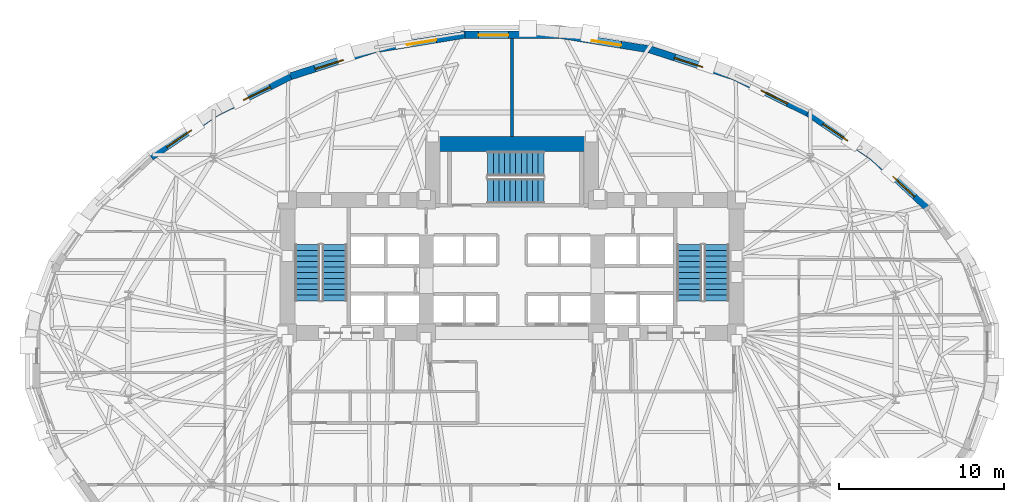
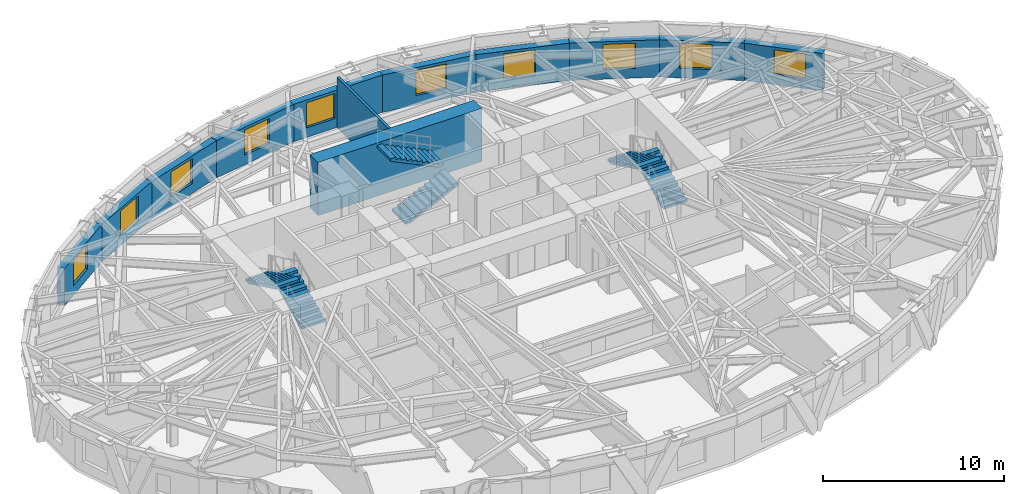
# One storey, part 10 of 14: 12 walls, 10 windows, 6 stair flights, 10 openings, 3 elements without a shape of their own.
"""IFC4 building model written with IfcOpenShell, lengths in metres."""

from ifc_helpers import new_model, si_unit, direction, frame, frame_2d, origin, place, context, subcontext, project, spatial, polyline, rectangle, outline, extrude, material, layer, layer_set, type_object, element, fill, aggregate, save


model = new_model("IFC4")

# Units and contexts
model_context = context("Model", 3, precision=1e-05, world=origin(), true_north=direction((0.0, 1.0)))
body_context = subcontext(model_context, "Body", "Model", "MODEL_VIEW")
ifc_project = project(units=[si_unit("LENGTHUNIT", "METRE"), si_unit("AREAUNIT", "SQUARE_METRE"), si_unit("VOLUMEUNIT", "CUBIC_METRE"), si_unit("PLANEANGLEUNIT", "RADIAN"), si_unit("MASSUNIT", "GRAM", prefix="KILO")], contexts=[model_context])

# Site, building, storey
site_placement = place(None, origin())
site = spatial("IfcSite", under=ifc_project, at=site_placement, CompositionType="ELEMENT")
building_placement = place(site_placement, origin())
building = spatial("IfcBuilding", under=site, at=building_placement, Name="Keldmark Tower", CompositionType="ELEMENT")
storey_placement = place(building_placement, frame((0.0, 0.0, 59.39990234375)))
storey = spatial("IfcBuildingStorey", under=building, at=storey_placement, Name="L15", CompositionType="ELEMENT", Elevation=59.39990234375)

# Walls
ifc_material_1 = material(Name="STC-58 Insulated Tenant Demising Gypsum Partition", Category="gypsum")
ifc_layer_1 = layer(ifc_material_1, 0.175048828125)
ifc_layer_set_1 = layer_set([ifc_layer_1], Name="STC-58 Insulated Tenant Demising Gypsum Partition")
wall_type_1 = type_object("IfcWallType", Name="Demising Suite Partition 175 mm", PredefinedType="PARTITIONING", material=ifc_layer_set_1)
wall_1_placement = place(storey_placement, frame((0.0, 13.300048828125, 0.0), z_axis=(0.0, 0.0, 1.0), x_axis=(0.0, 1.0, 0.0)))
element("IfcWall", 1, at=wall_1_placement, inside=storey, type_object=wall_type_1, Name="L15 Demising Suite Partition 175 mm N-MID-DIV", PredefinedType="PARTITIONING", context=body_context, shape_type="SweptSolid", body=[
    extrude(rectangle(XDim=5.9521484375, YDim=0.175048828125, at=frame_2d((2.97607421875, 0.0))), origin(), (0.0, 0.0, 1.0), 3.400146484375),
])
ifc_material_2 = material(Name="Concrete C70/85", Category="concrete")
ifc_layer_2 = layer(ifc_material_2, 0.89990234375)
ifc_layer_set_2 = layer_set([ifc_layer_2], Name="Concrete C70/85")
wall_type_2 = type_object("IfcWallType", Name="Lower Core Shear Wall 900 mm", PredefinedType="SHEAR", material=ifc_layer_set_2)
wall_2_placement = place(storey_placement, frame((-5.25, 12.85009765625, 0.0), z_axis=(0.0, 0.0, 1.0), x_axis=(1.0, 0.0, 0.0)))
element("IfcWall", 2, at=wall_2_placement, inside=storey, type_object=wall_type_2, Name="L15 North Core Shear Wall", PredefinedType="SHEAR", context=body_context, shape_type="SweptSolid", body=[
    extrude(rectangle(XDim=10.5, YDim=0.89990234375, at=frame_2d((5.25, 0.0))), origin(), (0.0, 0.0, 1.0), 3.60009765625),
])

# Wall, opening, window
ifc_material_3 = material(Name="Ironspot Manganese Brick and Kasota Buff Limestone Spandrel Assembly", Category="masonry")
ifc_layer_3 = layer(ifc_material_3, 0.43994140625)
ifc_layer_set_3 = layer_set([ifc_layer_3], Name="Ironspot Manganese Brick and Kasota Buff Limestone Spandrel Assembly")
wall_type_3 = type_object("IfcWallType", Name="Tower Brick Pier and Spandrel Wall 440 mm", PredefinedType="STANDARD", material=ifc_layer_set_3)
wall_3_placement = place(storey_placement, frame((21.856201171875, 12.083251953125, 0.0), z_axis=(0.0, 0.0, 1.0), x_axis=(0.731343335822, -0.682009475849, 0.0)))
wall_3 = element("IfcWall", 3, at=wall_3_placement, inside=storey, type_object=wall_type_3, Name="L15 Exterior Brick and Spandrel Wall 03", PredefinedType="STANDARD", context=body_context, shape_type="SweptSolid", body=[
    extrude(rectangle(XDim=4.50830078125, YDim=0.43994140625, at=frame_2d((2.254150390625, 0.0))), origin(), (0.0, 0.0, 1.0), 2.529052734375),
])
opening_1_placement = place(wall_3_placement, frame((1.722412109375, 0.0, 0.64990234375)))
opening_1 = element("IfcOpeningElement", 4, at=opening_1_placement, cuts=wall_3, Name="Opening W-02", PredefinedType="OPENING", context=body_context, shape_type="SweptSolid", body=[
    extrude(rectangle(XDim=1.800048828125, YDim=1.699951171875, at=frame_2d((0.89990234375, 0.85009765625))), frame((0.0, 0.22998046875, 0.0), z_axis=(0.0, -1.0, 0.0), x_axis=(1.0, 0.0, 0.0)), (0.0, 0.0, 1.0), 0.4599609375),
])
ifc_material_4 = material(Name="Thermally Broken Anodized Aluminum and Triple Low-E Argon Glazing", Category="aluminium")
window_type = type_object("IfcWindowType", Name="Office Deep-Set Triple Window 1800x1700", PartitioningType="TRIPLE_PANEL_VERTICAL", PredefinedType="WINDOW", material=ifc_material_4)
window_1_placement = place(opening_1_placement, origin())
window_1 = element("IfcWindow", 5, at=window_1_placement, inside=storey, type_object=window_type, Name="L15 Deep-Set Window 03", OverallHeight=1.699951171875, OverallWidth=1.800048828125, PartitioningType="SINGLE_PANEL", PredefinedType="WINDOW", context=body_context, shape_type="SweptSolid", body=[
    extrude(rectangle(XDim=1.800048828125, YDim=1.699951171875, at=frame_2d((0.89990234375, 0.85009765625))), frame((0.0, -0.010009765625, 0.0), z_axis=(0.0, -1.0, 0.0), x_axis=(1.0, 0.0, 0.0)), (0.0, 0.0, 1.0), 0.06005859375),
])
fill(opening_1, window_1)

wall_4_placement = place(storey_placement, frame((17.9365234375, 14.7373046875, 0.0), z_axis=(0.0, 0.0, 1.0), x_axis=(0.827723816917, -0.561135708103, 0.0)))
wall_4 = element("IfcWall", 6, at=wall_4_placement, inside=storey, type_object=wall_type_3, Name="L15 Exterior Brick and Spandrel Wall 04", PredefinedType="STANDARD", context=body_context, shape_type="SweptSolid", body=[
    extrude(rectangle(XDim=4.767578125, YDim=0.43994140625, at=frame_2d((2.3837890625, 0.0))), origin(), (0.0, 0.0, 1.0), 2.529052734375),
])
opening_2_placement = place(wall_4_placement, frame((1.13818359375, 0.0, 0.64990234375)))
opening_2 = element("IfcOpeningElement", 7, at=opening_2_placement, cuts=wall_4, Name="Opening W-02", PredefinedType="OPENING", context=body_context, shape_type="SweptSolid", body=[
    extrude(rectangle(XDim=1.800048828125, YDim=1.699951171875, at=frame_2d((0.89990234375, 0.85009765625))), frame((0.0, 0.22998046875, 0.0), z_axis=(0.0, -1.0, 0.0), x_axis=(1.0, 0.0, 0.0)), (0.0, 0.0, 1.0), 0.4599609375),
])
window_2_placement = place(opening_2_placement, origin())
window_2 = element("IfcWindow", 8, at=window_2_placement, inside=storey, type_object=window_type, Name="L15 Deep-Set Window 04", OverallHeight=1.699951171875, OverallWidth=1.800048828125, PartitioningType="SINGLE_PANEL", PredefinedType="WINDOW", context=body_context, shape_type="SweptSolid", body=[
    extrude(rectangle(XDim=1.800048828125, YDim=1.699951171875, at=frame_2d((0.89990234375, 0.85009765625))), frame((0.0, -0.010009765625, 0.0), z_axis=(0.0, -1.0, 0.0), x_axis=(1.0, 0.0, 0.0)), (0.0, 0.0, 1.0), 0.06005859375),
])
fill(opening_2, window_2)

wall_5_placement = place(storey_placement, frame((13.427734375, 16.95751953125, 0.0), z_axis=(0.0, 0.0, 1.0), x_axis=(0.896962161347, -0.442107318545, 0.0)))
wall_5 = element("IfcWall", 9, at=wall_5_placement, inside=storey, type_object=wall_type_3, Name="L15 Exterior Brick and Spandrel Wall 05", PredefinedType="STANDARD", context=body_context, shape_type="SweptSolid", body=[
    extrude(rectangle(XDim=5.05615234375, YDim=0.43994140625, at=frame_2d((2.528076171875, 0.0))), origin(), (0.0, 0.0, 1.0), 2.529052734375),
])
opening_3_placement = place(wall_5_placement, frame((1.874267578125, 0.0, 0.64990234375)))
opening_3 = element("IfcOpeningElement", 10, at=opening_3_placement, cuts=wall_5, Name="Opening W-02", PredefinedType="OPENING", context=body_context, shape_type="SweptSolid", body=[
    extrude(rectangle(XDim=1.800048828125, YDim=1.699951171875, at=frame_2d((0.89990234375, 0.85009765625))), frame((0.0, 0.22998046875, 0.0), z_axis=(0.0, -1.0, 0.0), x_axis=(1.0, 0.0, 0.0)), (0.0, 0.0, 1.0), 0.4599609375),
])
window_3_placement = place(opening_3_placement, origin())
window_3 = element("IfcWindow", 11, at=window_3_placement, inside=storey, type_object=window_type, Name="L15 Deep-Set Window 05", OverallHeight=1.699951171875, OverallWidth=1.800048828125, PartitioningType="SINGLE_PANEL", PredefinedType="WINDOW", context=body_context, shape_type="SweptSolid", body=[
    extrude(rectangle(XDim=1.800048828125, YDim=1.699951171875, at=frame_2d((0.89990234375, 0.85009765625))), frame((0.0, -0.010009765625, 0.0), z_axis=(0.0, -1.0, 0.0), x_axis=(1.0, 0.0, 0.0)), (0.0, 0.0, 1.0), 0.06005859375),
])
fill(opening_3, window_3)

wall_6_placement = place(storey_placement, frame((8.343994140625, 18.589111328125, 0.0), z_axis=(0.0, 0.0, 1.0), x_axis=(0.95202383213, -0.30602389295, 0.0)))
wall_6 = element("IfcWall", 12, at=wall_6_placement, inside=storey, type_object=wall_type_3, Name="L15 Exterior Brick and Spandrel Wall 06", PredefinedType="STANDARD", context=body_context, shape_type="SweptSolid", body=[
    extrude(rectangle(XDim=5.37158203125, YDim=0.43994140625, at=frame_2d((2.685791015625, 0.0))), origin(), (0.0, 0.0, 1.0), 2.529052734375),
])
opening_4_placement = place(wall_6_placement, frame((1.58740234375, 0.0, 0.64990234375)))
opening_4 = element("IfcOpeningElement", 13, at=opening_4_placement, cuts=wall_6, Name="Opening W-02", PredefinedType="OPENING", context=body_context, shape_type="SweptSolid", body=[
    extrude(rectangle(XDim=1.800048828125, YDim=1.699951171875, at=frame_2d((0.89990234375, 0.85009765625))), frame((0.0, 0.22998046875, 0.0), z_axis=(0.0, -1.0, 0.0), x_axis=(1.0, 0.0, 0.0)), (0.0, 0.0, 1.0), 0.4599609375),
])
window_4_placement = place(opening_4_placement, origin())
window_4 = element("IfcWindow", 14, at=window_4_placement, inside=storey, type_object=window_type, Name="L15 Deep-Set Window 06", OverallHeight=1.699951171875, OverallWidth=1.800048828125, PartitioningType="SINGLE_PANEL", PredefinedType="WINDOW", context=body_context, shape_type="SweptSolid", body=[
    extrude(rectangle(XDim=1.800048828125, YDim=1.699951171875, at=frame_2d((0.89990234375, 0.85009765625))), frame((0.0, -0.010009765625, 0.0), z_axis=(0.0, -1.0, 0.0), x_axis=(1.0, 0.0, 0.0)), (0.0, 0.0, 1.0), 0.06005859375),
])
fill(opening_4, window_4)

wall_7_placement = place(storey_placement, frame((2.82666015625, 19.48291015625, 0.0), z_axis=(0.0, 0.0, 1.0), x_axis=(0.987057031186, -0.160369626756, 0.0)))
wall_7 = element("IfcWall", 15, at=wall_7_placement, inside=storey, type_object=wall_type_3, Name="L15 Exterior Brick and Spandrel Wall 07", PredefinedType="STANDARD", context=body_context, shape_type="SweptSolid", body=[
    extrude(rectangle(XDim=5.6220703125, YDim=0.43994140625, at=frame_2d((2.81103515625, 0.0))), origin(), (0.0, 0.0, 1.0), 2.529052734375),
])
opening_5_placement = place(wall_7_placement, frame((2.034912109375, 0.0, 0.64990234375)))
opening_5 = element("IfcOpeningElement", 16, at=opening_5_placement, cuts=wall_7, Name="Opening W-02", PredefinedType="OPENING", context=body_context, shape_type="SweptSolid", body=[
    extrude(rectangle(XDim=1.800048828125, YDim=1.699951171875, at=frame_2d((0.89990234375, 0.85009765625))), frame((0.0, 0.22998046875, 0.0), z_axis=(0.0, -1.0, 0.0), x_axis=(1.0, 0.0, 0.0)), (0.0, 0.0, 1.0), 0.4599609375),
])
window_5_placement = place(opening_5_placement, origin())
window_5 = element("IfcWindow", 17, at=window_5_placement, inside=storey, type_object=window_type, Name="L15 Deep-Set Window 07", OverallHeight=1.699951171875, OverallWidth=1.800048828125, PartitioningType="SINGLE_PANEL", PredefinedType="WINDOW", context=body_context, shape_type="SweptSolid", body=[
    extrude(rectangle(XDim=1.800048828125, YDim=1.699951171875, at=frame_2d((0.89990234375, 0.85009765625))), frame((0.0, -0.010009765625, 0.0), z_axis=(0.0, -1.0, 0.0), x_axis=(1.0, 0.0, 0.0)), (0.0, 0.0, 1.0), 0.06005859375),
])
fill(opening_5, window_5)

wall_8_placement = place(storey_placement, frame((-2.862060546875, 19.480224609375, 0.0), z_axis=(0.0, 0.0, 1.0), x_axis=(1.0, 0.0, 0.0)))
wall_8 = element("IfcWall", 18, at=wall_8_placement, inside=storey, type_object=wall_type_3, Name="L15 Exterior Brick and Spandrel Wall 08", PredefinedType="STANDARD", context=body_context, shape_type="SweptSolid", body=[
    extrude(rectangle(XDim=5.72412109375, YDim=0.43994140625, at=frame_2d((2.862060546875, 0.0))), origin(), (0.0, 0.0, 1.0), 2.533203125),
])
opening_6_placement = place(wall_8_placement, frame((0.84521484375, 0.0, 0.64990234375)))
opening_6 = element("IfcOpeningElement", 19, at=opening_6_placement, cuts=wall_8, Name="Opening W-02", PredefinedType="OPENING", context=body_context, shape_type="SweptSolid", body=[
    extrude(rectangle(XDim=1.800048828125, YDim=1.699951171875, at=frame_2d((0.89990234375, 0.85009765625))), frame((0.0, 0.22998046875, 0.0), z_axis=(0.0, -1.0, 0.0), x_axis=(1.0, 0.0, 0.0)), (0.0, 0.0, 1.0), 0.4599609375),
])
window_6_placement = place(opening_6_placement, origin())
window_6 = element("IfcWindow", 20, at=window_6_placement, inside=storey, type_object=window_type, Name="L15 Deep-Set Window 08", OverallHeight=1.699951171875, OverallWidth=1.800048828125, PartitioningType="SINGLE_PANEL", PredefinedType="WINDOW", context=body_context, shape_type="SweptSolid", body=[
    extrude(rectangle(XDim=1.800048828125, YDim=1.699951171875, at=frame_2d((0.89990234375, 0.85009765625))), frame((0.0, -0.010009765625, 0.0), z_axis=(0.0, -1.0, 0.0), x_axis=(1.0, 0.0, 0.0)), (0.0, 0.0, 1.0), 0.06005859375),
])
fill(opening_6, window_6)

wall_9_placement = place(storey_placement, frame((-8.3759765625, 18.581298828125, 0.0), z_axis=(0.0, 0.0, 1.0), x_axis=(0.987057031186, 0.160369626756, 0.0)))
wall_9 = element("IfcWall", 21, at=wall_9_placement, inside=storey, type_object=wall_type_3, Name="L15 Exterior Brick and Spandrel Wall 09", PredefinedType="STANDARD", context=body_context, shape_type="SweptSolid", body=[
    extrude(rectangle(XDim=5.6220703125, YDim=0.43994140625, at=frame_2d((2.81103515625, 0.0))), origin(), (0.0, 0.0, 1.0), 2.529052734375),
])
opening_7_placement = place(wall_9_placement, frame((2.034912109375, 0.0, 0.64990234375)))
opening_7 = element("IfcOpeningElement", 22, at=opening_7_placement, cuts=wall_9, Name="Opening W-02", PredefinedType="OPENING", context=body_context, shape_type="SweptSolid", body=[
    extrude(rectangle(XDim=1.800048828125, YDim=1.699951171875, at=frame_2d((0.89990234375, 0.85009765625))), frame((0.0, 0.22998046875, 0.0), z_axis=(0.0, -1.0, 0.0), x_axis=(1.0, 0.0, 0.0)), (0.0, 0.0, 1.0), 0.4599609375),
])
window_7_placement = place(opening_7_placement, origin())
window_7 = element("IfcWindow", 23, at=window_7_placement, inside=storey, type_object=window_type, Name="L15 Deep-Set Window 09", OverallHeight=1.699951171875, OverallWidth=1.800048828125, PartitioningType="SINGLE_PANEL", PredefinedType="WINDOW", context=body_context, shape_type="SweptSolid", body=[
    extrude(rectangle(XDim=1.800048828125, YDim=1.699951171875, at=frame_2d((0.89990234375, 0.85009765625))), frame((0.0, -0.010009765625, 0.0), z_axis=(0.0, -1.0, 0.0), x_axis=(1.0, 0.0, 0.0)), (0.0, 0.0, 1.0), 0.06005859375),
])
fill(opening_7, window_7)

wall_10_placement = place(storey_placement, frame((-13.457763671875, 16.9453125, 0.0), z_axis=(0.0, 0.0, 1.0), x_axis=(0.95202383213, 0.30602389295, 0.0)))
wall_10 = element("IfcWall", 24, at=wall_10_placement, inside=storey, type_object=wall_type_3, Name="L15 Exterior Brick and Spandrel Wall 10", PredefinedType="STANDARD", context=body_context, shape_type="SweptSolid", body=[
    extrude(rectangle(XDim=5.37158203125, YDim=0.43994140625, at=frame_2d((2.685791015625, 0.0))), origin(), (0.0, 0.0, 1.0), 2.529052734375),
])
opening_8_placement = place(wall_10_placement, frame((1.58740234375, 0.0, 0.64990234375)))
opening_8 = element("IfcOpeningElement", 25, at=opening_8_placement, cuts=wall_10, Name="Opening W-02", PredefinedType="OPENING", context=body_context, shape_type="SweptSolid", body=[
    extrude(rectangle(XDim=1.800048828125, YDim=1.699951171875, at=frame_2d((0.89990234375, 0.85009765625))), frame((0.0, 0.22998046875, 0.0), z_axis=(0.0, -1.0, 0.0), x_axis=(1.0, 0.0, 0.0)), (0.0, 0.0, 1.0), 0.4599609375),
])
window_8_placement = place(opening_8_placement, origin())
window_8 = element("IfcWindow", 26, at=window_8_placement, inside=storey, type_object=window_type, Name="L15 Deep-Set Window 10", OverallHeight=1.699951171875, OverallWidth=1.800048828125, PartitioningType="SINGLE_PANEL", PredefinedType="WINDOW", context=body_context, shape_type="SweptSolid", body=[
    extrude(rectangle(XDim=1.800048828125, YDim=1.699951171875, at=frame_2d((0.89990234375, 0.85009765625))), frame((0.0, -0.010009765625, 0.0), z_axis=(0.0, -1.0, 0.0), x_axis=(1.0, 0.0, 0.0)), (0.0, 0.0, 1.0), 0.06005859375),
])
fill(opening_8, window_8)

wall_11_placement = place(storey_placement, frame((-17.962890625, 14.72216796875, 0.0), z_axis=(0.0, 0.0, 1.0), x_axis=(0.896962161347, 0.442107318545, 0.0)))
wall_11 = element("IfcWall", 27, at=wall_11_placement, inside=storey, type_object=wall_type_3, Name="L15 Exterior Brick and Spandrel Wall 11", PredefinedType="STANDARD", context=body_context, shape_type="SweptSolid", body=[
    extrude(rectangle(XDim=5.05615234375, YDim=0.43994140625, at=frame_2d((2.528076171875, 0.0))), origin(), (0.0, 0.0, 1.0), 2.529052734375),
])
opening_9_placement = place(wall_11_placement, frame((1.874267578125, 0.0, 0.64990234375)))
opening_9 = element("IfcOpeningElement", 28, at=opening_9_placement, cuts=wall_11, Name="Opening W-02", PredefinedType="OPENING", context=body_context, shape_type="SweptSolid", body=[
    extrude(rectangle(XDim=1.800048828125, YDim=1.699951171875, at=frame_2d((0.89990234375, 0.85009765625))), frame((0.0, 0.22998046875, 0.0), z_axis=(0.0, -1.0, 0.0), x_axis=(1.0, 0.0, 0.0)), (0.0, 0.0, 1.0), 0.4599609375),
])
window_9_placement = place(opening_9_placement, origin())
window_9 = element("IfcWindow", 29, at=window_9_placement, inside=storey, type_object=window_type, Name="L15 Deep-Set Window 11", OverallHeight=1.699951171875, OverallWidth=1.800048828125, PartitioningType="SINGLE_PANEL", PredefinedType="WINDOW", context=body_context, shape_type="SweptSolid", body=[
    extrude(rectangle(XDim=1.800048828125, YDim=1.699951171875, at=frame_2d((0.89990234375, 0.85009765625))), frame((0.0, -0.010009765625, 0.0), z_axis=(0.0, -1.0, 0.0), x_axis=(1.0, 0.0, 0.0)), (0.0, 0.0, 1.0), 0.06005859375),
])
fill(opening_9, window_9)

wall_12_placement = place(storey_placement, frame((-21.8828125, 12.06201171875, 0.0), z_axis=(0.0, 0.0, 1.0), x_axis=(0.827723816917, 0.561135708103, 0.0)))
wall_12 = element("IfcWall", 30, at=wall_12_placement, inside=storey, type_object=wall_type_3, Name="L15 Exterior Brick and Spandrel Wall 12", PredefinedType="STANDARD", context=body_context, shape_type="SweptSolid", body=[
    extrude(rectangle(XDim=4.767578125, YDim=0.43994140625, at=frame_2d((2.3837890625, 0.0))), origin(), (0.0, 0.0, 1.0), 2.529052734375),
])
opening_10_placement = place(wall_12_placement, frame((1.13818359375, 0.0, 0.64990234375)))
opening_10 = element("IfcOpeningElement", 31, at=opening_10_placement, cuts=wall_12, Name="Opening W-02", PredefinedType="OPENING", context=body_context, shape_type="SweptSolid", body=[
    extrude(rectangle(XDim=1.800048828125, YDim=1.699951171875, at=frame_2d((0.89990234375, 0.85009765625))), frame((0.0, 0.22998046875, 0.0), z_axis=(0.0, -1.0, 0.0), x_axis=(1.0, 0.0, 0.0)), (0.0, 0.0, 1.0), 0.4599609375),
])
window_10_placement = place(opening_10_placement, origin())
window_10 = element("IfcWindow", 32, at=window_10_placement, inside=storey, type_object=window_type, Name="L15 Deep-Set Window 12", OverallHeight=1.699951171875, OverallWidth=1.800048828125, PartitioningType="SINGLE_PANEL", PredefinedType="WINDOW", context=body_context, shape_type="SweptSolid", body=[
    extrude(rectangle(XDim=1.800048828125, YDim=1.699951171875, at=frame_2d((0.89990234375, 0.85009765625))), frame((0.0, -0.010009765625, 0.0), z_axis=(0.0, -1.0, 0.0), x_axis=(1.0, 0.0, 0.0)), (0.0, 0.0, 1.0), 0.06005859375),
])
fill(opening_10, window_10)

# Stair, stair flights
ifc_material_5 = material(Name="Concrete C40/50", Category="concrete")
stair_type = type_object("IfcStairType", Name="Precast Concrete Core Exit Stair", PredefinedType="HALF_TURN_STAIR", material=ifc_material_5)
stair_1_placement = place(storey_placement, origin())
stair_1 = element("IfcStair", 33, at=stair_1_placement, inside=storey, type_object=stair_type, Name="L15 Exit Stair ST1", PredefinedType="HALF_TURN_STAIR")
ifc_material_6 = material(Name="Concrete C40/50", Category="concrete")
stair_flight_type = type_object("IfcStairFlightType", Name="Precast Concrete Stair Flight 1500 mm", PredefinedType="STRAIGHT", material=ifc_material_6)
stair_flight_1_placement = place(storey_placement, frame((-10.75, 3.35009765625, 0.0), z_axis=(0.0, 0.0, 1.0), x_axis=(0.0, 1.0, 0.0)))
stair_flight_1 = element("IfcStairFlight", 34, at=stair_flight_1_placement, type_object=stair_flight_type, Name="ST1 flight 1", NumberOfRisers=11, NumberOfTreads=10, PredefinedType="STRAIGHT", RiserHeight=0.163636364, TreadLength=0.34, context=body_context, shape_type="SweptSolid", body=[
    extrude(outline(polyline([(0.0, 0.0), (0.0, 0.16357421875), (0.340087890625, 0.16357421875), (0.340087890625, 0.327392578125), (0.679931640625, 0.327392578125), (0.679931640625, 0.490966796875), (1.02001953125, 0.490966796875), (1.02001953125, 0.654541015625), (1.360107421875, 0.654541015625), (1.360107421875, 0.818115234375), (1.699951171875, 0.818115234375), (1.699951171875, 0.98193359375), (2.0400390625, 0.98193359375), (2.0400390625, 1.1455078125), (2.3798828125, 1.1455078125), (2.3798828125, 1.30908203125), (2.719970703125, 1.30908203125), (2.719970703125, 1.47265625), (3.06005859375, 1.47265625), (3.06005859375, 1.636474609375), (3.39990234375, 1.636474609375), (3.39990234375, 1.800048828125), (3.39990234375, 1.469970703125), (0.345703125, 0.0), (0.0, 0.0)])), frame((0.0, 0.75, 0.0), z_axis=(0.0, -1.0, 0.0), x_axis=(1.0, 0.0, 0.0)), (0.0, 0.0, 1.0), 1.5),
])
stair_flight_2_placement = place(storey_placement, frame((-12.39990234375, 6.75, 1.800048828125), z_axis=(0.0, 0.0, 1.0), x_axis=(0.0, -1.0, 0.0)))
stair_flight_2 = element("IfcStairFlight", 35, at=stair_flight_2_placement, type_object=stair_flight_type, Name="ST1 flight 2", NumberOfRisers=11, NumberOfTreads=10, PredefinedType="STRAIGHT", RiserHeight=0.163636364, TreadLength=0.34, context=body_context, shape_type="SweptSolid", body=[
    extrude(outline(polyline([(0.0, 0.0), (0.0, 0.16357421875), (0.340087890625, 0.16357421875), (0.340087890625, 0.327392578125), (0.679931640625, 0.327392578125), (0.679931640625, 0.490966796875), (1.02001953125, 0.490966796875), (1.02001953125, 0.654541015625), (1.360107421875, 0.654541015625), (1.360107421875, 0.818115234375), (1.699951171875, 0.818115234375), (1.699951171875, 0.98193359375), (2.0400390625, 0.98193359375), (2.0400390625, 1.1455078125), (2.3798828125, 1.1455078125), (2.3798828125, 1.30908203125), (2.719970703125, 1.30908203125), (2.719970703125, 1.47265625), (3.06005859375, 1.47265625), (3.06005859375, 1.636474609375), (3.39990234375, 1.636474609375), (3.39990234375, 1.800048828125), (3.39990234375, 1.469970703125), (0.345703125, 0.0), (0.0, 0.0)])), frame((0.0, 0.75, 0.0), z_axis=(0.0, -1.0, 0.0), x_axis=(1.0, 0.0, 0.0)), (0.0, 0.0, 1.0), 1.5),
])
aggregate(stair_1, [stair_flight_1, stair_flight_2])

stair_2_placement = place(storey_placement, origin())
stair_2 = element("IfcStair", 36, at=stair_2_placement, inside=storey, type_object=stair_type, Name="L15 Exit Stair ST2", PredefinedType="HALF_TURN_STAIR")
stair_flight_3_placement = place(storey_placement, frame((12.39990234375, 3.35009765625, 0.0), z_axis=(0.0, 0.0, 1.0), x_axis=(0.0, 1.0, 0.0)))
stair_flight_3 = element("IfcStairFlight", 37, at=stair_flight_3_placement, type_object=stair_flight_type, Name="ST2 flight 1", NumberOfRisers=11, NumberOfTreads=10, PredefinedType="STRAIGHT", RiserHeight=0.163636364, TreadLength=0.34, context=body_context, shape_type="SweptSolid", body=[
    extrude(outline(polyline([(0.0, 0.0), (0.0, 0.16357421875), (0.340087890625, 0.16357421875), (0.340087890625, 0.327392578125), (0.679931640625, 0.327392578125), (0.679931640625, 0.490966796875), (1.02001953125, 0.490966796875), (1.02001953125, 0.654541015625), (1.360107421875, 0.654541015625), (1.360107421875, 0.818115234375), (1.699951171875, 0.818115234375), (1.699951171875, 0.98193359375), (2.0400390625, 0.98193359375), (2.0400390625, 1.1455078125), (2.3798828125, 1.1455078125), (2.3798828125, 1.30908203125), (2.719970703125, 1.30908203125), (2.719970703125, 1.47265625), (3.06005859375, 1.47265625), (3.06005859375, 1.636474609375), (3.39990234375, 1.636474609375), (3.39990234375, 1.800048828125), (3.39990234375, 1.469970703125), (0.345703125, 0.0), (0.0, 0.0)])), frame((0.0, 0.75, 0.0), z_axis=(0.0, -1.0, 0.0), x_axis=(1.0, 0.0, 0.0)), (0.0, 0.0, 1.0), 1.5),
])
stair_flight_4_placement = place(storey_placement, frame((10.75, 6.75, 1.800048828125), z_axis=(0.0, 0.0, 1.0), x_axis=(0.0, -1.0, 0.0)))
stair_flight_4 = element("IfcStairFlight", 38, at=stair_flight_4_placement, type_object=stair_flight_type, Name="ST2 flight 2", NumberOfRisers=11, NumberOfTreads=10, PredefinedType="STRAIGHT", RiserHeight=0.163636364, TreadLength=0.34, context=body_context, shape_type="SweptSolid", body=[
    extrude(outline(polyline([(0.0, 0.0), (0.0, 0.16357421875), (0.340087890625, 0.16357421875), (0.340087890625, 0.327392578125), (0.679931640625, 0.327392578125), (0.679931640625, 0.490966796875), (1.02001953125, 0.490966796875), (1.02001953125, 0.654541015625), (1.360107421875, 0.654541015625), (1.360107421875, 0.818115234375), (1.699951171875, 0.818115234375), (1.699951171875, 0.98193359375), (2.0400390625, 0.98193359375), (2.0400390625, 1.1455078125), (2.3798828125, 1.1455078125), (2.3798828125, 1.30908203125), (2.719970703125, 1.30908203125), (2.719970703125, 1.47265625), (3.06005859375, 1.47265625), (3.06005859375, 1.636474609375), (3.39990234375, 1.636474609375), (3.39990234375, 1.800048828125), (3.39990234375, 1.469970703125), (0.345703125, 0.0), (0.0, 0.0)])), frame((0.0, 0.75, 0.0), z_axis=(0.0, -1.0, 0.0), x_axis=(1.0, 0.0, 0.0)), (0.0, 0.0, 1.0), 1.5),
])
aggregate(stair_2, [stair_flight_3, stair_flight_4])

stair_3_placement = place(storey_placement, origin())
stair_3 = element("IfcStair", 39, at=stair_3_placement, inside=storey, type_object=stair_type, Name="L15 Exit Stair ST3", PredefinedType="HALF_TURN_STAIR")
stair_flight_5_placement = place(storey_placement, frame((-1.47509765625, 10.0, 0.0), z_axis=(0.0, 0.0, 1.0), x_axis=(1.0, 0.0, 0.0)))
stair_flight_5 = element("IfcStairFlight", 40, at=stair_flight_5_placement, type_object=stair_flight_type, Name="ST3 flight 1", NumberOfRisers=11, NumberOfTreads=10, PredefinedType="STRAIGHT", RiserHeight=0.163636364, TreadLength=0.34, context=body_context, shape_type="SweptSolid", body=[
    extrude(outline(polyline([(0.0, 0.0), (0.0, 0.16357421875), (0.340087890625, 0.16357421875), (0.340087890625, 0.327392578125), (0.679931640625, 0.327392578125), (0.679931640625, 0.490966796875), (1.02001953125, 0.490966796875), (1.02001953125, 0.654541015625), (1.360107421875, 0.654541015625), (1.360107421875, 0.818115234375), (1.699951171875, 0.818115234375), (1.699951171875, 0.98193359375), (2.0400390625, 0.98193359375), (2.0400390625, 1.1455078125), (2.3798828125, 1.1455078125), (2.3798828125, 1.30908203125), (2.719970703125, 1.30908203125), (2.719970703125, 1.47265625), (3.06005859375, 1.47265625), (3.06005859375, 1.636474609375), (3.39990234375, 1.636474609375), (3.39990234375, 1.800048828125), (3.39990234375, 1.469970703125), (0.345703125, 0.0), (0.0, 0.0)])), frame((0.0, 0.75, 0.0), z_axis=(0.0, -1.0, 0.0), x_axis=(1.0, 0.0, 0.0)), (0.0, 0.0, 1.0), 1.5),
])
stair_flight_6_placement = place(storey_placement, frame((1.925048828125, 11.64990234375, 1.800048828125), z_axis=(0.0, 0.0, 1.0), x_axis=(-1.0, 0.0, 0.0)))
stair_flight_6 = element("IfcStairFlight", 41, at=stair_flight_6_placement, type_object=stair_flight_type, Name="ST3 flight 2", NumberOfRisers=11, NumberOfTreads=10, PredefinedType="STRAIGHT", RiserHeight=0.163636364, TreadLength=0.34, context=body_context, shape_type="SweptSolid", body=[
    extrude(outline(polyline([(0.0, 0.0), (0.0, 0.16357421875), (0.340087890625, 0.16357421875), (0.340087890625, 0.327392578125), (0.679931640625, 0.327392578125), (0.679931640625, 0.490966796875), (1.02001953125, 0.490966796875), (1.02001953125, 0.654541015625), (1.360107421875, 0.654541015625), (1.360107421875, 0.818115234375), (1.699951171875, 0.818115234375), (1.699951171875, 0.98193359375), (2.0400390625, 0.98193359375), (2.0400390625, 1.1455078125), (2.3798828125, 1.1455078125), (2.3798828125, 1.30908203125), (2.719970703125, 1.30908203125), (2.719970703125, 1.47265625), (3.06005859375, 1.47265625), (3.06005859375, 1.636474609375), (3.39990234375, 1.636474609375), (3.39990234375, 1.800048828125), (3.39990234375, 1.469970703125), (0.345703125, 0.0), (0.0, 0.0)])), frame((0.0, 0.75, 0.0), z_axis=(0.0, -1.0, 0.0), x_axis=(1.0, 0.0, 0.0)), (0.0, 0.0, 1.0), 1.5),
])
aggregate(stair_3, [stair_flight_5, stair_flight_6])

save(model, "model.ifc")
